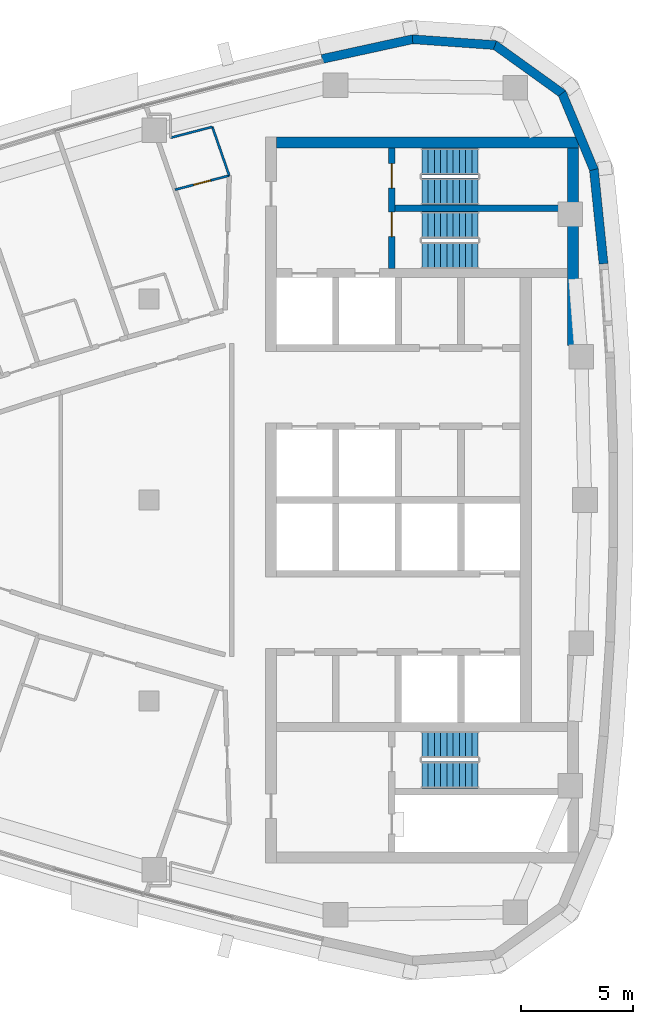
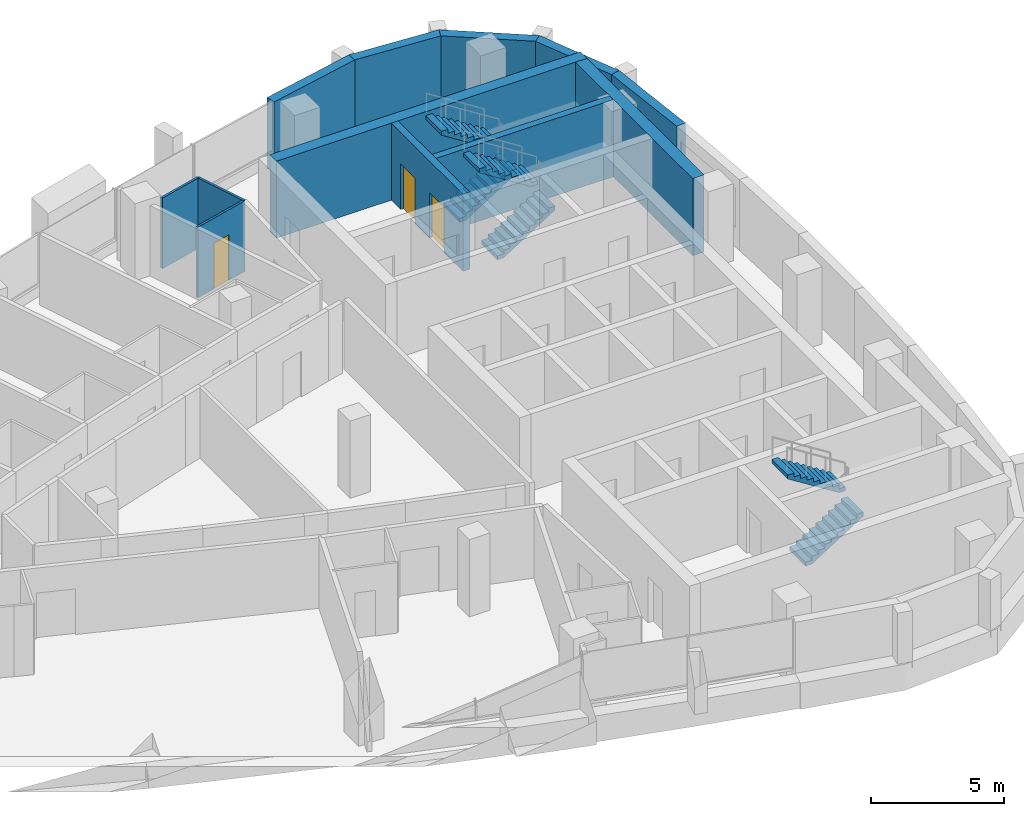
# One storey, part 10 of 14: 12 walls, 6 stair flights, 3 doors, 3 openings, 3 elements without a shape of their own.
"""IFC4 building model written with IfcOpenShell, lengths in metres."""

from ifc_helpers import new_model, si_unit, direction, frame, frame_2d, origin, place, context, subcontext, project, spatial, polyline, rectangle, outline, extrude, material, layer, layer_set, type_object, element, fill, aggregate, save


model = new_model("IFC4")

# Units and contexts
model_context = context("Model", 3, precision=1e-05, world=origin(), true_north=direction((0.0, 1.0)))
body_context = subcontext(model_context, "Body", "Model", "MODEL_VIEW")
ifc_project = project(units=[si_unit("LENGTHUNIT", "METRE"), si_unit("AREAUNIT", "SQUARE_METRE"), si_unit("VOLUMEUNIT", "CUBIC_METRE"), si_unit("PLANEANGLEUNIT", "RADIAN"), si_unit("MASSUNIT", "GRAM", prefix="KILO")], contexts=[model_context])

# Site, building, storey
site_placement = place(None, origin())
site = spatial("IfcSite", under=ifc_project, at=site_placement, CompositionType="ELEMENT")
building_placement = place(site_placement, origin())
building = spatial("IfcBuilding", under=site, at=building_placement, Name="Ostrand Prow Hotel Tower", CompositionType="ELEMENT")
storey_placement = place(building_placement, frame((0.0, 0.0, 289.199951171875)))
storey = spatial("IfcBuildingStorey", under=building, at=storey_placement, Name="L73", CompositionType="ELEMENT", Elevation=289.199951171875)

# Wall, openings, doors
ifc_material_1 = material(Name="Concrete C50/60", Category="concrete")
ifc_layer_1 = layer(ifc_material_1, 0.300048828125)
ifc_layer_set_1 = layer_set([ifc_layer_1], Name="Concrete C50/60")
wall_type_1 = type_object("IfcWallType", Name="Core wall 300 C50/60", PredefinedType="SHEAR", material=ifc_layer_set_1)
wall_1_placement = place(storey_placement, frame((55.85009765625, 10.35009765625, 0.0), z_axis=(0.0, 0.0, 1.0), x_axis=(0.0, 1.0, 0.0)))
wall_1 = element("IfcWall", 1, at=wall_1_placement, inside=storey, type_object=wall_type_1, Name="Core wall PW-VN", PredefinedType="SHEAR", context=body_context, shape_type="SweptSolid", body=[
    extrude(rectangle(XDim=5.39990234375, YDim=0.300048828125, at=frame_2d((2.699951171875, 0.0))), origin(), (0.0, 0.0, 1.0), 3.550048828125),
])
opening_1_placement = place(wall_1_placement, frame((1.429931640625, 0.0, 0.0)))
opening_1 = element("IfcOpeningElement", 2, at=opening_1_placement, cuts=wall_1, Name="Opening FD1", PredefinedType="OPENING", context=body_context, shape_type="SweptSolid", body=[
    extrude(rectangle(XDim=1.10009765625, YDim=2.10009765625, at=frame_2d((0.550048828125, 1.050048828125))), frame((0.0, 0.159912109375, 0.0), z_axis=(0.0, -1.0, 0.0), x_axis=(1.0, 0.0, 0.0)), (0.0, 0.0, 1.0), 0.320068359375),
])
opening_2_placement = place(wall_1_placement, frame((3.60009765625, 0.0, 0.0)))
opening_2 = element("IfcOpeningElement", 3, at=opening_2_placement, cuts=wall_1, Name="Opening FD1", PredefinedType="OPENING", context=body_context, shape_type="SweptSolid", body=[
    extrude(rectangle(XDim=1.10009765625, YDim=2.10009765625, at=frame_2d((0.550048828125, 1.050048828125))), frame((0.0, 0.159912109375, 0.0), z_axis=(0.0, -1.0, 0.0), x_axis=(1.0, 0.0, 0.0)), (0.0, 0.0, 1.0), 0.320068359375),
])
ifc_material_2 = material(Name="Steel fire door", Category="steel")
door_type_1 = type_object("IfcDoorType", Name="Fire door 1100 EI120", OperationType="SINGLE_SWING_RIGHT", PredefinedType="DOOR", material=ifc_material_2)
door_1_placement = place(opening_1_placement, origin())
door_1 = element("IfcDoor", 4, at=door_1_placement, inside=storey, type_object=door_type_1, Name="FIRE DOOR", OperationType="SINGLE_SWING_RIGHT", OverallHeight=2.10009765625, OverallWidth=1.10009765625, PredefinedType="DOOR", context=body_context, shape_type="SweptSolid", body=[
    extrude(rectangle(XDim=1.10009765625, YDim=2.10009765625, at=frame_2d((0.550048828125, 1.050048828125))), frame((0.0, 0.02490234375, 0.0), z_axis=(0.0, -1.0, 0.0), x_axis=(1.0, 0.0, 0.0)), (0.0, 0.0, 1.0), 0.050048828125),
])
fill(opening_1, door_1)
door_2_placement = place(opening_2_placement, origin())
door_2 = element("IfcDoor", 5, at=door_2_placement, inside=storey, type_object=door_type_1, Name="FIRE DOOR", OperationType="SINGLE_SWING_RIGHT", OverallHeight=2.10009765625, OverallWidth=1.10009765625, PredefinedType="DOOR", context=body_context, shape_type="SweptSolid", body=[
    extrude(rectangle(XDim=1.10009765625, YDim=2.10009765625, at=frame_2d((0.550048828125, 1.050048828125))), frame((0.0, 0.02490234375, 0.0), z_axis=(0.0, -1.0, 0.0), x_axis=(1.0, 0.0, 0.0)), (0.0, 0.0, 1.0), 0.050048828125),
])
fill(opening_2, door_2)

# Walls
wall_2_placement = place(storey_placement, frame((56.0, 13.050048828125, 0.0), z_axis=(0.0, 0.0, 1.0), x_axis=(1.0, 0.0, 0.0)))
element("IfcWall", 6, at=wall_2_placement, inside=storey, type_object=wall_type_1, Name="Core wall PW-ST13", PredefinedType="SHEAR", context=body_context, shape_type="SweptSolid", body=[
    extrude(rectangle(XDim=7.719970703125, YDim=0.300048828125, at=frame_2d((3.85986328125, 0.0))), origin(), (0.0, 0.0, 1.0), 3.550048828125),
])
ifc_material_3 = material(Name="Concrete C50/60", Category="concrete")
ifc_layer_2 = layer(ifc_material_3, 0.5)
ifc_layer_set_2 = layer_set([ifc_layer_2], Name="Concrete C50/60")
wall_type_2 = type_object("IfcWallType", Name="Core wall 500 C50/60", PredefinedType="SHEAR", material=ifc_layer_set_2)
wall_3_placement = place(storey_placement, frame((50.699951171875, 16.0, 0.0), z_axis=(0.0, 0.0, 1.0), x_axis=(1.0, 0.0, 0.0)))
element("IfcWall", 7, at=wall_3_placement, inside=storey, type_object=wall_type_2, Name="Core wall CW-N", PredefinedType="SHEAR", context=body_context, shape_type="SweptSolid", body=[
    extrude(rectangle(XDim=13.52001953125, YDim=0.5, at=frame_2d((6.760009765625, 0.0))), origin(), (0.0, 0.0, 1.0), 3.550048828125),
])
wall_4_placement = place(storey_placement, frame((63.969970703125, 6.9033203125, 0.0), z_axis=(0.0, 0.0, 1.0), x_axis=(0.0, 1.0, 0.0)))
element("IfcWall", 8, at=wall_4_placement, inside=storey, type_object=wall_type_2, Name="Core wall CW-E-N", PredefinedType="SHEAR", context=body_context, shape_type="SweptSolid", body=[
    extrude(rectangle(XDim=8.8466796875, YDim=0.5, at=frame_2d((4.42333984375, 0.0))), origin(), (0.0, 0.0, 1.0), 3.550048828125),
])

# Wall, opening, door
ifc_material_4 = material(Name="Plasterboard partition")
ifc_layer_3 = layer(ifc_material_4, 0.10009765625)
ifc_layer_set_3 = layer_set([ifc_layer_3], Name="Plasterboard partition")
wall_type_3 = type_object("IfcWallType", Name="Partition 100 bathroom wall", PredefinedType="PARTITIONING", material=ifc_layer_set_3)
wall_5_placement = place(storey_placement, frame((48.58251953125, 14.515625, 0.0), z_axis=(0.0, 0.0, 1.0), x_axis=(-0.967665843663, -0.252235633897, 0.0)))
wall_5 = element("IfcWall", 9, at=wall_5_placement, inside=storey, type_object=wall_type_3, Name="BATHROOM WALL", PredefinedType="PARTITIONING", context=body_context, shape_type="SweptSolid", body=[
    extrude(rectangle(XDim=2.5078125, YDim=0.10009765625, at=frame_2d((1.25390625, 0.0))), origin(), (0.0, 0.0, 1.0), 3.25),
])
opening_3_placement = place(wall_5_placement, frame((0.85009765625, 0.0, 0.0)))
opening_3 = element("IfcOpeningElement", 10, at=opening_3_placement, cuts=wall_5, Name="Opening D2", PredefinedType="OPENING", context=body_context, shape_type="SweptSolid", body=[
    extrude(rectangle(XDim=0.800048828125, YDim=2.10009765625, at=frame_2d((0.39990234375, 1.050048828125))), frame((0.0, 0.06005859375, 0.0), z_axis=(0.0, -1.0, 0.0), x_axis=(1.0, 0.0, 0.0)), (0.0, 0.0, 1.0), 0.1201171875),
])
ifc_material_5 = material(Name="Timber door leaf", Category="wood")
door_type_2 = type_object("IfcDoorType", Name="Bathroom door 800", OperationType="SINGLE_SWING_LEFT", PredefinedType="DOOR", material=ifc_material_5)
door_3_placement = place(opening_3_placement, origin())
door_3 = element("IfcDoor", 11, at=door_3_placement, inside=storey, type_object=door_type_2, Name="DOOR", OperationType="SINGLE_SWING_LEFT", OverallHeight=2.10009765625, OverallWidth=0.800048828125, PredefinedType="DOOR", context=body_context, shape_type="SweptSolid", body=[
    extrude(rectangle(XDim=0.800048828125, YDim=2.10009765625, at=frame_2d((0.39990234375, 1.050048828125))), frame((0.0, 0.02490234375, 0.0), z_axis=(0.0, -1.0, 0.0), x_axis=(1.0, 0.0, 0.0)), (0.0, 0.0, 1.0), 0.050048828125),
])
fill(opening_3, door_3)

# Walls
wall_6_placement = place(storey_placement, frame((45.95458984375, 16.20751953125, 0.0), z_axis=(0.0, 0.0, 1.0), x_axis=(0.967650770907, 0.25229345129, 0.0)))
element("IfcWall", 12, at=wall_6_placement, inside=storey, type_object=wall_type_3, Name="BATHROOM WALL", PredefinedType="PARTITIONING", context=body_context, shape_type="SweptSolid", body=[
    extrude(rectangle(XDim=1.934326171875, YDim=0.10009765625, at=frame_2d((0.96728515625, 0.0))), origin(), (0.0, 0.0, 1.0), 3.25),
])
wall_7_placement = place(storey_placement, frame((47.826416015625, 16.695556640625, 0.0), z_axis=(0.0, 0.0, 1.0), x_axis=(0.327695604762, -0.944783356447, 0.0)))
element("IfcWall", 13, at=wall_7_placement, inside=storey, type_object=wall_type_3, Name="BATHROOM WALL", PredefinedType="PARTITIONING", context=body_context, shape_type="SweptSolid", body=[
    extrude(rectangle(XDim=2.307373046875, YDim=0.10009765625, at=frame_2d((1.15380859375, 0.0))), origin(), (0.0, 0.0, 1.0), 3.25),
])
ifc_material_6 = material(Name="Precast concrete C40/50", Category="concrete")
ifc_layer_4 = layer(ifc_material_6, 0.39990234375)
ifc_layer_set_4 = layer_set([ifc_layer_4], Name="Precast concrete C40/50")
wall_type_4 = type_object("IfcWallType", Name="Stone-faced precast wall 400 mm", PredefinedType="NOTDEFINED", material=ifc_layer_set_4)
wall_8_placement = place(storey_placement, frame((65.3310546875, 10.5712890625, 0.0), z_axis=(0.0, 0.0, 1.0), x_axis=(-0.102249826987, 0.994758751096, 0.0)))
element("IfcWall", 14, at=wall_8_placement, inside=storey, type_object=wall_type_4, Name="Stone-faced wall back 11", PredefinedType="NOTDEFINED", context=body_context, shape_type="SweptSolid", body=[
    extrude(outline(polyline([(-0.00341796875, -0.199951171875), (4.262939453125, -0.199951171875), (4.203857421875, 0.199951171875), (0.00341796875, 0.199951171875), (-0.00341796875, -0.199951171875)])), origin(), (0.0, 0.0, 1.0), 3.25),
])
wall_9_placement = place(storey_placement, frame((64.898193359375, 14.782470703125, 0.0), z_axis=(0.0, 0.0, 1.0), x_axis=(-0.385285857918, 0.922797273343, 0.0)))
element("IfcWall", 15, at=wall_9_placement, inside=storey, type_object=wall_type_4, Name="Stone-faced wall back 12", PredefinedType="NOTDEFINED", context=body_context, shape_type="SweptSolid", body=[
    extrude(outline(polyline([(-0.029541015625, -0.199951171875), (3.75341796875, -0.199951171875), (3.64013671875, 0.199951171875), (0.029541015625, 0.199951171875), (-0.029541015625, -0.199951171875)])), origin(), (0.0, 0.0, 1.0), 3.25),
])
wall_10_placement = place(storey_placement, frame((63.473876953125, 18.19384765625, 0.0), z_axis=(0.0, 0.0, 1.0), x_axis=(-0.811962548682, 0.583709533533, 0.0)))
element("IfcWall", 16, at=wall_10_placement, inside=storey, type_object=wall_type_4, Name="Stone-faced wall back 13", PredefinedType="NOTDEFINED", context=body_context, shape_type="SweptSolid", body=[
    extrude(outline(polyline([(-0.056640625, -0.199951171875), (3.753173828125, -0.199951171875), (3.639892578125, 0.199951171875), (0.056640625, 0.199951171875), (-0.056640625, -0.199951171875)])), origin(), (0.0, 0.0, 1.0), 3.25),
])
wall_11_placement = place(storey_placement, frame((60.472412109375, 20.3515625, 0.0), z_axis=(0.0, 0.0, 1.0), x_axis=(-0.99746272096, 0.071190731806, 0.0)))
element("IfcWall", 17, at=wall_11_placement, inside=storey, type_object=wall_type_4, Name="Stone-faced wall back 14", PredefinedType="NOTDEFINED", context=body_context, shape_type="SweptSolid", body=[
    extrude(outline(polyline([(-0.056640625, -0.199951171875), (3.7255859375, -0.199951171875), (3.66796875, 0.199951171875), (0.056640625, 0.199951171875), (-0.056640625, -0.199951171875)])), origin(), (0.0, 0.0, 1.0), 3.25),
])
wall_12_placement = place(storey_placement, frame((56.784912109375, 20.61474609375, 0.0), z_axis=(0.0, 0.0, 1.0), x_axis=(-0.977020225348, -0.213146614471, 0.0)))
element("IfcWall", 18, at=wall_12_placement, inside=storey, type_object=wall_type_4, Name="Stone-faced wall back 15", PredefinedType="NOTDEFINED", context=body_context, shape_type="SweptSolid", body=[
    extrude(outline(polyline([(-0.02880859375, -0.199951171875), (4.141845703125, -0.199951171875), (4.141845703125, 0.199951171875), (0.02880859375, 0.199951171875), (-0.02880859375, -0.199951171875)])), origin(), (0.0, 0.0, 1.0), 3.25),
])

# Stair, stair flights
ifc_material_7 = material(Name="Concrete C40/50", Category="concrete")
stair_type = type_object("IfcStairType", Name="Exit stair 1200 upper zone", PredefinedType="HALF_TURN_STAIR", material=ifc_material_7)
stair_1_placement = place(storey_placement, origin())
stair_1 = element("IfcStair", 19, at=stair_1_placement, inside=storey, type_object=stair_type, Name="L73 ST1C", PredefinedType="HALF_TURN_STAIR")
ifc_material_8 = material(Name="Concrete C40/50", Category="concrete")
stair_flight_type = type_object("IfcStairFlightType", Name="Stair flight 1200 concrete", PredefinedType="STRAIGHT", material=ifc_material_8)
stair_flight_1_placement = place(storey_placement, frame((57.199951171875, 10.949951171875, 0.0), z_axis=(0.0, 0.0, 1.0), x_axis=(1.0, 0.0, 0.0)))
stair_flight_1 = element("IfcStairFlight", 20, at=stair_flight_1_placement, type_object=stair_flight_type, Name="ST1C flight 1", NumberOfRisers=10, NumberOfTreads=9, PredefinedType="STRAIGHT", RiserHeight=0.1775, TreadLength=0.28, context=body_context, shape_type="SweptSolid", body=[
    extrude(outline(polyline([(0.0, 0.0), (0.0, 0.177490234375), (0.280029296875, 0.177490234375), (0.280029296875, 0.35498046875), (0.56005859375, 0.35498046875), (0.56005859375, 0.532470703125), (0.840087890625, 0.532470703125), (0.840087890625, 0.7099609375), (1.1201171875, 0.7099609375), (1.1201171875, 0.887451171875), (1.39990234375, 0.887451171875), (1.39990234375, 1.06494140625), (1.679931640625, 1.06494140625), (1.679931640625, 1.242431640625), (1.9599609375, 1.242431640625), (1.9599609375, 1.419921875), (2.239990234375, 1.419921875), (2.239990234375, 1.597412109375), (2.52001953125, 1.597412109375), (2.52001953125, 1.77490234375), (2.52001953125, 1.419921875), (0.280029296875, 0.0), (0.0, 0.0)])), frame((0.0, 0.60009765625, 0.0), z_axis=(0.0, -1.0, 0.0), x_axis=(1.0, 0.0, 0.0)), (0.0, 0.0, 1.0), 1.199951171875),
])
stair_flight_2_placement = place(storey_placement, frame((59.719970703125, 12.300048828125, 1.775146484375), z_axis=(0.0, 0.0, 1.0), x_axis=(-1.0, 0.0, 0.0)))
stair_flight_2 = element("IfcStairFlight", 21, at=stair_flight_2_placement, type_object=stair_flight_type, Name="ST1C flight 2", NumberOfRisers=10, NumberOfTreads=9, PredefinedType="STRAIGHT", RiserHeight=0.1775, TreadLength=0.28, context=body_context, shape_type="SweptSolid", body=[
    extrude(outline(polyline([(0.0, 0.0), (0.0, 0.177490234375), (0.280029296875, 0.177490234375), (0.280029296875, 0.35498046875), (0.56005859375, 0.35498046875), (0.56005859375, 0.532470703125), (0.840087890625, 0.532470703125), (0.840087890625, 0.7099609375), (1.1201171875, 0.7099609375), (1.1201171875, 0.887451171875), (1.39990234375, 0.887451171875), (1.39990234375, 1.06494140625), (1.679931640625, 1.06494140625), (1.679931640625, 1.242431640625), (1.9599609375, 1.242431640625), (1.9599609375, 1.419921875), (2.239990234375, 1.419921875), (2.239990234375, 1.597412109375), (2.52001953125, 1.597412109375), (2.52001953125, 1.77490234375), (2.52001953125, 1.419921875), (0.280029296875, 0.0), (0.0, 0.0)])), frame((0.0, 0.60009765625, 0.0), z_axis=(0.0, -1.0, 0.0), x_axis=(1.0, 0.0, 0.0)), (0.0, 0.0, 1.0), 1.199951171875),
])
aggregate(stair_1, [stair_flight_1, stair_flight_2])

stair_2_placement = place(storey_placement, origin())
stair_2 = element("IfcStair", 22, at=stair_2_placement, inside=storey, type_object=stair_type, Name="L73 ST3C", PredefinedType="HALF_TURN_STAIR")
stair_flight_3_placement = place(storey_placement, frame((57.199951171875, 13.800048828125, 0.0), z_axis=(0.0, 0.0, 1.0), x_axis=(1.0, 0.0, 0.0)))
stair_flight_3 = element("IfcStairFlight", 23, at=stair_flight_3_placement, type_object=stair_flight_type, Name="ST3C flight 1", NumberOfRisers=10, NumberOfTreads=9, PredefinedType="STRAIGHT", RiserHeight=0.1775, TreadLength=0.28, context=body_context, shape_type="SweptSolid", body=[
    extrude(outline(polyline([(0.0, 0.0), (0.0, 0.177490234375), (0.280029296875, 0.177490234375), (0.280029296875, 0.35498046875), (0.56005859375, 0.35498046875), (0.56005859375, 0.532470703125), (0.840087890625, 0.532470703125), (0.840087890625, 0.7099609375), (1.1201171875, 0.7099609375), (1.1201171875, 0.887451171875), (1.39990234375, 0.887451171875), (1.39990234375, 1.06494140625), (1.679931640625, 1.06494140625), (1.679931640625, 1.242431640625), (1.9599609375, 1.242431640625), (1.9599609375, 1.419921875), (2.239990234375, 1.419921875), (2.239990234375, 1.597412109375), (2.52001953125, 1.597412109375), (2.52001953125, 1.77490234375), (2.52001953125, 1.419921875), (0.280029296875, 0.0), (0.0, 0.0)])), frame((0.0, 0.60009765625, 0.0), z_axis=(0.0, -1.0, 0.0), x_axis=(1.0, 0.0, 0.0)), (0.0, 0.0, 1.0), 1.199951171875),
])
stair_flight_4_placement = place(storey_placement, frame((59.719970703125, 15.14990234375, 1.775146484375), z_axis=(0.0, 0.0, 1.0), x_axis=(-1.0, 0.0, 0.0)))
stair_flight_4 = element("IfcStairFlight", 24, at=stair_flight_4_placement, type_object=stair_flight_type, Name="ST3C flight 2", NumberOfRisers=10, NumberOfTreads=9, PredefinedType="STRAIGHT", RiserHeight=0.1775, TreadLength=0.28, context=body_context, shape_type="SweptSolid", body=[
    extrude(outline(polyline([(0.0, 0.0), (0.0, 0.177490234375), (0.280029296875, 0.177490234375), (0.280029296875, 0.35498046875), (0.56005859375, 0.35498046875), (0.56005859375, 0.532470703125), (0.840087890625, 0.532470703125), (0.840087890625, 0.7099609375), (1.1201171875, 0.7099609375), (1.1201171875, 0.887451171875), (1.39990234375, 0.887451171875), (1.39990234375, 1.06494140625), (1.679931640625, 1.06494140625), (1.679931640625, 1.242431640625), (1.9599609375, 1.242431640625), (1.9599609375, 1.419921875), (2.239990234375, 1.419921875), (2.239990234375, 1.597412109375), (2.52001953125, 1.597412109375), (2.52001953125, 1.77490234375), (2.52001953125, 1.419921875), (0.280029296875, 0.0), (0.0, 0.0)])), frame((0.0, 0.60009765625, 0.0), z_axis=(0.0, -1.0, 0.0), x_axis=(1.0, 0.0, 0.0)), (0.0, 0.0, 1.0), 1.199951171875),
])
aggregate(stair_2, [stair_flight_3, stair_flight_4])

stair_3_placement = place(storey_placement, origin())
stair_3 = element("IfcStair", 25, at=stair_3_placement, inside=storey, type_object=stair_type, Name="L73 ST2C", PredefinedType="HALF_TURN_STAIR")
stair_flight_5_placement = place(storey_placement, frame((57.199951171875, -12.300048828125, 0.0), z_axis=(0.0, 0.0, 1.0), x_axis=(1.0, 0.0, 0.0)))
stair_flight_5 = element("IfcStairFlight", 26, at=stair_flight_5_placement, type_object=stair_flight_type, Name="ST2C flight 1", NumberOfRisers=10, NumberOfTreads=9, PredefinedType="STRAIGHT", RiserHeight=0.1775, TreadLength=0.28, context=body_context, shape_type="SweptSolid", body=[
    extrude(outline(polyline([(0.0, 0.0), (0.0, 0.177490234375), (0.280029296875, 0.177490234375), (0.280029296875, 0.35498046875), (0.56005859375, 0.35498046875), (0.56005859375, 0.532470703125), (0.840087890625, 0.532470703125), (0.840087890625, 0.7099609375), (1.1201171875, 0.7099609375), (1.1201171875, 0.887451171875), (1.39990234375, 0.887451171875), (1.39990234375, 1.06494140625), (1.679931640625, 1.06494140625), (1.679931640625, 1.242431640625), (1.9599609375, 1.242431640625), (1.9599609375, 1.419921875), (2.239990234375, 1.419921875), (2.239990234375, 1.597412109375), (2.52001953125, 1.597412109375), (2.52001953125, 1.77490234375), (2.52001953125, 1.419921875), (0.280029296875, 0.0), (0.0, 0.0)])), frame((0.0, 0.60009765625, 0.0), z_axis=(0.0, -1.0, 0.0), x_axis=(1.0, 0.0, 0.0)), (0.0, 0.0, 1.0), 1.199951171875),
])
stair_flight_6_placement = place(storey_placement, frame((59.719970703125, -10.949951171875, 1.775146484375), z_axis=(0.0, 0.0, 1.0), x_axis=(-1.0, 0.0, 0.0)))
stair_flight_6 = element("IfcStairFlight", 27, at=stair_flight_6_placement, type_object=stair_flight_type, Name="ST2C flight 2", NumberOfRisers=10, NumberOfTreads=9, PredefinedType="STRAIGHT", RiserHeight=0.1775, TreadLength=0.28, context=body_context, shape_type="SweptSolid", body=[
    extrude(outline(polyline([(0.0, 0.0), (0.0, 0.177490234375), (0.280029296875, 0.177490234375), (0.280029296875, 0.35498046875), (0.56005859375, 0.35498046875), (0.56005859375, 0.532470703125), (0.840087890625, 0.532470703125), (0.840087890625, 0.7099609375), (1.1201171875, 0.7099609375), (1.1201171875, 0.887451171875), (1.39990234375, 0.887451171875), (1.39990234375, 1.06494140625), (1.679931640625, 1.06494140625), (1.679931640625, 1.242431640625), (1.9599609375, 1.242431640625), (1.9599609375, 1.419921875), (2.239990234375, 1.419921875), (2.239990234375, 1.597412109375), (2.52001953125, 1.597412109375), (2.52001953125, 1.77490234375), (2.52001953125, 1.419921875), (0.280029296875, 0.0), (0.0, 0.0)])), frame((0.0, 0.60009765625, 0.0), z_axis=(0.0, -1.0, 0.0), x_axis=(1.0, 0.0, 0.0)), (0.0, 0.0, 1.0), 1.199951171875),
])
aggregate(stair_3, [stair_flight_5, stair_flight_6])

save(model, "model.ifc")
